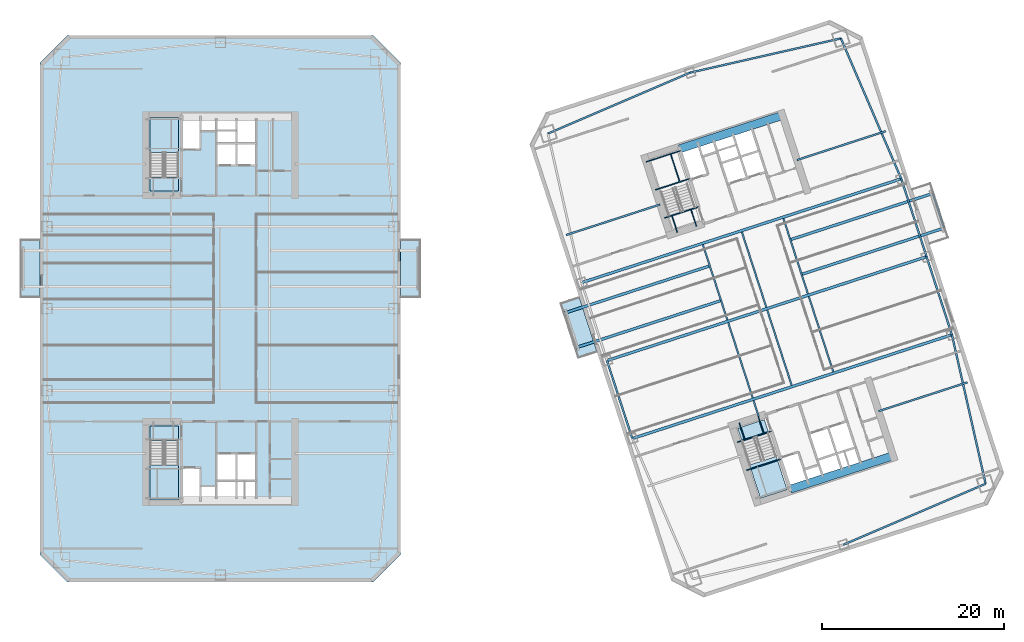
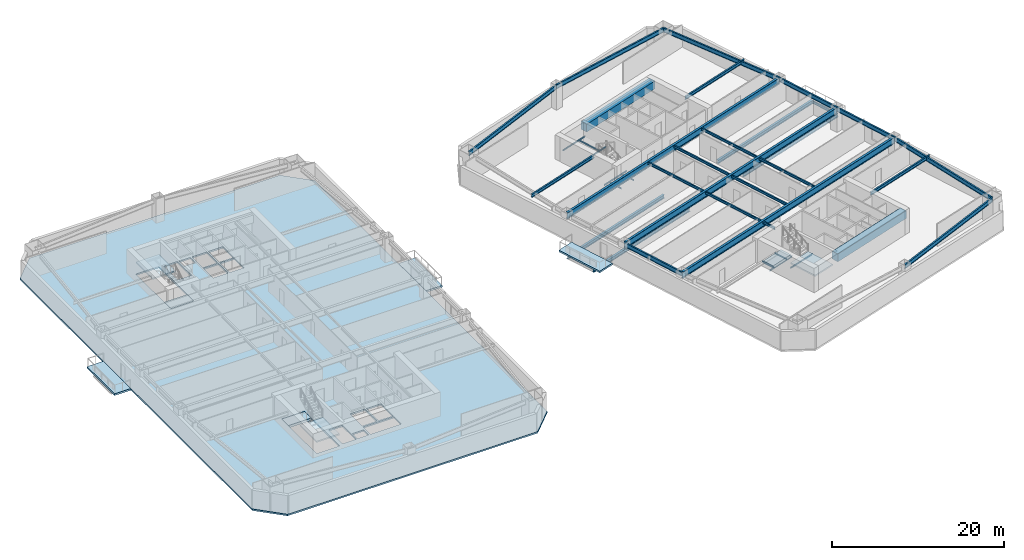
# One storey, part 2 of 15: 38 beams, 10 slabs, 3 elements without a shape of their own.
"""IFC4 building model written with IfcOpenShell, lengths in metres."""

from ifc_helpers import new_model, si_unit, direction, frame, origin, origin_2d, place, context, subcontext, project, spatial, polyline, rectangle, i_section, outline, extrude, material, layer, layer_set, material_profile, profile_set, type_object, element, aggregate, save


model = new_model("IFC4")

# Units and contexts
model_context = context("Model", 3, precision=1e-05, world=origin(), true_north=direction((0.0, 1.0)))
body_context = subcontext(model_context, "Body", "Model", "MODEL_VIEW")
ifc_project = project(units=[si_unit("LENGTHUNIT", "METRE"), si_unit("AREAUNIT", "SQUARE_METRE"), si_unit("VOLUMEUNIT", "CUBIC_METRE"), si_unit("PLANEANGLEUNIT", "RADIAN"), si_unit("MASSUNIT", "GRAM", prefix="KILO")], contexts=[model_context])

# Site, building, storey
site_placement = place(None, origin())
site = spatial("IfcSite", under=ifc_project, at=site_placement, CompositionType="ELEMENT")
building_placement = place(site_placement, origin())
building = spatial("IfcBuilding", under=site, at=building_placement, Name="Qiaolan Cultural Towers", CompositionType="ELEMENT")
storey_placement = place(building_placement, frame((0.0, 0.0, 50.60009765625)))
storey = spatial("IfcBuildingStorey", under=building, at=storey_placement, Name="L11", CompositionType="ELEMENT", Elevation=50.60009765625)

# Beams
ifc_material_1 = material(Name="Steel Q355B", Category="steel")
ifc_material_profile_1 = material_profile(ifc_material_1, i_section(OverallWidth=0.300048828125, OverallDepth=0.488037109375, WebThickness=0.010986328125, FlangeThickness=0.01806640625, at=origin_2d()), Name="HM488x300x11x18")
ifc_profile_set_1 = profile_set([ifc_material_profile_1], Name="Steel Q355B")
beam_type_1 = type_object("IfcBeamType", Name="BM-HM488x300x11x18", PredefinedType="BEAM", material=ifc_profile_set_1)
for number, where, z_axis, x_axis, name in (
    (1, (84.978515625, 34.891845703125, -0.524169921875), (-0.951056559899, -0.309016860175, 0.0), (0.309016860175, -0.951056559899, 0.0), "L11 T2 Tree Balcony Back-Spanned Bracket Beam"),
    (2, (83.742431640625, 38.6962890625, -0.524169921875), (-0.951056559899, -0.309016860175, 0.0), (0.309016860175, -0.951056559899, 0.0), "L11 T2 Tree Balcony Back-Spanned Bracket Beam"),
):
    element("IfcBeam", number, at=place(storey_placement, frame(where, z_axis=z_axis, x_axis=x_axis)), inside=storey, type_object=beam_type_1, Name=name, PredefinedType="BEAM", context=body_context, shape_type="SweptSolid", body=[
        extrude(i_section(OverallWidth=0.300048828125, OverallDepth=0.488037109375, WebThickness=0.010986328125, FlangeThickness=0.01806640625, at=origin_2d()), origin(), (0.0, 0.0, 1.0), 16.75),
    ])
for number, where, z_axis, x_axis, name in (
    (3, (93.823486328125, 37.765869140625, -0.524169921875), (0.951057297292, 0.309014590704, 0.0), (-0.309014590704, 0.951057297292, 0.0), "L11 T2 Tree Balcony Back-Spanned Bracket Beam"),
    (4, (92.58740234375, 41.570068359375, -0.524169921875), (0.951057297292, 0.309014590704, 0.0), (-0.309014590704, 0.951057297292, 0.0), "L11 T2 Tree Balcony Back-Spanned Bracket Beam"),
):
    element("IfcBeam", number, at=place(storey_placement, frame(where, z_axis=z_axis, x_axis=x_axis)), inside=storey, type_object=beam_type_1, Name=name, PredefinedType="BEAM", context=body_context, shape_type="SweptSolid", body=[
        extrude(i_section(OverallWidth=0.300048828125, OverallDepth=0.488037109375, WebThickness=0.010986328125, FlangeThickness=0.01806640625, at=origin_2d()), origin(), (0.0, 0.0, 1.0), 16.449951171875),
    ])
ifc_material_2 = material(Name="Steel Q355B", Category="steel")
ifc_material_profile_2 = material_profile(ifc_material_2, i_section(OverallWidth=0.300048828125, OverallDepth=0.89990234375, WebThickness=0.01611328125, FlangeThickness=0.028076171875, at=origin_2d()), Name="HN900x300x16x28")
ifc_profile_set_2 = profile_set([ifc_material_profile_2], Name="Steel Q355B")
beam_type_2 = type_object("IfcBeamType", Name="BM-HN900x300x16x28", PredefinedType="BEAM", material=ifc_profile_set_2)
beam_1_placement = place(storey_placement, frame((75.234130859375, 19.739013671875, 2.739990234375), z_axis=(0.951055702987, 0.309019497469, 0.0), x_axis=(-0.309019497469, 0.951055702987, 0.0)))
element("IfcBeam", 5, at=beam_1_placement, inside=storey, type_object=beam_type_2, Name="L11 T2 Primary Transverse Girder V1", PredefinedType="BEAM", context=body_context, shape_type="SweptSolid", body=[
    extrude(i_section(OverallWidth=0.300048828125, OverallDepth=0.89990234375, WebThickness=0.01611328125, FlangeThickness=0.028076171875, at=origin_2d()), origin(), (0.0, 0.0, 1.0), 36.900146484375),
])
beam_2_placement = place(storey_placement, frame((72.453125, 28.298583984375, 2.739990234375), z_axis=(0.951055071173, 0.309021441968, 0.0), x_axis=(-0.309021441968, 0.951055071173, 0.0)))
element("IfcBeam", 6, at=beam_2_placement, inside=storey, type_object=beam_type_2, Name="L11 T2 Primary Transverse Girder V2", PredefinedType="BEAM", context=body_context, shape_type="SweptSolid", body=[
    extrude(i_section(OverallWidth=0.300048828125, OverallDepth=0.89990234375, WebThickness=0.01611328125, FlangeThickness=0.028076171875, at=origin_2d()), origin(), (0.0, 0.0, 1.0), 36.89990234375),
])
beam_3_placement = place(storey_placement, frame((69.671875, 36.858154296875, 2.739990234375), z_axis=(0.951055702987, 0.309019497469, 0.0), x_axis=(-0.309019497469, 0.951055702987, 0.0)))
element("IfcBeam", 7, at=beam_3_placement, inside=storey, type_object=beam_type_2, Name="L11 T2 Primary Transverse Girder V3", PredefinedType="BEAM", context=body_context, shape_type="SweptSolid", body=[
    extrude(i_section(OverallWidth=0.300048828125, OverallDepth=0.89990234375, WebThickness=0.01611328125, FlangeThickness=0.028076171875, at=origin_2d()), origin(), (0.0, 0.0, 1.0), 36.900146484375),
])
ifc_material_3 = material(Name="Steel Q355B", Category="steel")
ifc_material_profile_3 = material_profile(ifc_material_3, i_section(OverallWidth=0.175048828125, OverallDepth=0.35009765625, WebThickness=0.007080078125, FlangeThickness=0.010986328125, at=origin_2d()), Name="HN350x175x7x11")
ifc_profile_set_3 = profile_set([ifc_material_profile_3], Name="Steel Q355B")
beam_type_3 = type_object("IfcBeamType", Name="BM-JST-HN350x175x7x11", PredefinedType="JOIST", material=ifc_profile_set_3)
beam_4_placement = place(storey_placement, frame((109.46826171875, 42.84912109375, -0.524169921875), z_axis=(-0.309022586479, 0.951054699292, 0.0), x_axis=(-0.951054699292, -0.309022586479, 0.0)))
element("IfcBeam", 8, at=beam_4_placement, inside=storey, type_object=beam_type_3, Name="L11 T2 Tree Balcony Outer Edge Beam", PredefinedType="JOIST", context=body_context, shape_type="SweptSolid", body=[
    extrude(i_section(OverallWidth=0.175048828125, OverallDepth=0.35009765625, WebThickness=0.007080078125, FlangeThickness=0.010986328125, at=origin_2d()), origin(), (0.0, 0.0, 1.0), 4.0),
])
beam_5_placement = place(storey_placement, frame((89.119384765625, 22.147705078125, 3.014892578125), z_axis=(-0.308933885266, 0.951083516067, 0.0), x_axis=(-0.951083516067, -0.308933885266, 0.0)))
element("IfcBeam", 9, at=beam_5_placement, inside=storey, type_object=beam_type_3, Name="L11 T2 Secondary Floor Joist U1-1", PredefinedType="JOIST", context=body_context, shape_type="SweptSolid", body=[
    extrude(i_section(OverallWidth=0.175048828125, OverallDepth=0.35009765625, WebThickness=0.007080078125, FlangeThickness=0.010986328125, at=origin_2d()), origin(), (0.0, 0.0, 1.0), 1.85009765625),
])
for number, where, z_axis, x_axis, name in (
    (10, (88.455078125, 24.192626953125, 3.014892578125), (-0.309020714809, 0.951055307445, 0.0), (-0.951055307445, -0.309020714809, 0.0), "L11 T2 Secondary Floor Joist U1-2"),
    (11, (85.673828125, 32.752197265625, 3.014892578125), (-0.309020714809, 0.951055307445, 0.0), (-0.951055307445, -0.309020714809, 0.0), "L11 T2 Secondary Floor Joist U1-3"),
    (12, (92.73486328125, 25.583251953125, 3.014892578125), (-0.309020714809, 0.951055307445, 0.0), (-0.951055307445, -0.309020714809, 0.0), "L11 T2 Secondary Floor Joist U2-2"),
    (13, (89.95361328125, 34.142578125, 3.014892578125), (-0.309020714809, 0.951055307445, 0.0), (-0.951055307445, -0.309020714809, 0.0), "L11 T2 Secondary Floor Joist U2-3"),
    (14, (97.2998046875, 27.06640625, 3.014892578125), (-0.309020714809, 0.951055307445, 0.0), (-0.951055307445, -0.309020714809, 0.0), "L11 T2 Secondary Floor Joist U3-2"),
    (15, (94.518798828125, 35.6259765625, 3.014892578125), (-0.309020714809, 0.951055307445, 0.0), (-0.951055307445, -0.309020714809, 0.0), "L11 T2 Secondary Floor Joist U3-3"),
):
    element("IfcBeam", number, at=place(storey_placement, frame(where, z_axis=z_axis, x_axis=x_axis)), inside=storey, type_object=beam_type_3, Name=name, PredefinedType="JOIST", context=body_context, shape_type="SweptSolid", body=[
        extrude(i_section(OverallWidth=0.175048828125, OverallDepth=0.35009765625, WebThickness=0.007080078125, FlangeThickness=0.010986328125, at=origin_2d()), origin(), (0.0, 0.0, 1.0), 8.699951171875),
    ])
ifc_material_4 = material(Name="Steel Q355B", Category="steel")
ifc_material_profile_4 = material_profile(ifc_material_4, i_section(OverallWidth=0.199951171875, OverallDepth=0.449951171875, WebThickness=0.009033203125, FlangeThickness=0.013916015625, at=origin_2d()), Name="HN450x200x9x14")
ifc_profile_set_4 = profile_set([ifc_material_profile_4], Name="Steel Q355B")
beam_type_4 = type_object("IfcBeamType", Name="BM-LNT-HN450x200x9x14", PredefinedType="LINTEL", material=ifc_profile_set_4)
beam_6_placement = place(storey_placement, frame((78.291259765625, 45.44189453125, 2.96484375), z_axis=(-0.951052421511, -0.309029596542, 0.0), x_axis=(0.309029596542, -0.951052421511, 0.0)))
element("IfcBeam", 16, at=beam_6_placement, inside=storey, type_object=beam_type_4, Name="L11 T2 Core Flank Tie Lintel WN", PredefinedType="LINTEL", context=body_context, shape_type="SweptSolid", body=[
    extrude(i_section(OverallWidth=0.199951171875, OverallDepth=0.449951171875, WebThickness=0.009033203125, FlangeThickness=0.013916015625, at=origin_2d()), origin(), (0.0, 0.0, 1.0), 10.85009765625),
])
beam_7_placement = place(storey_placement, frame((102.279296875, 22.74365234375, 2.96484375), z_axis=(0.951056820587, 0.309016057859, 0.0), x_axis=(-0.309016057859, 0.951056820587, 0.0)))
element("IfcBeam", 17, at=beam_7_placement, inside=storey, type_object=beam_type_4, Name="L11 T2 Core Flank Tie Lintel ES", PredefinedType="LINTEL", context=body_context, shape_type="SweptSolid", body=[
    extrude(i_section(OverallWidth=0.199951171875, OverallDepth=0.449951171875, WebThickness=0.009033203125, FlangeThickness=0.013916015625, at=origin_2d()), origin(), (0.0, 0.0, 1.0), 10.250244140625),
])
beam_8_placement = place(storey_placement, frame((93.31787109375, 50.32421875, 2.96484375), z_axis=(0.951054546097, 0.309023057955, 0.0), x_axis=(-0.309023057955, 0.951054546097, 0.0)))
element("IfcBeam", 18, at=beam_8_placement, inside=storey, type_object=beam_type_4, Name="L11 T2 Core Flank Tie Lintel EN", PredefinedType="LINTEL", context=body_context, shape_type="SweptSolid", body=[
    extrude(i_section(OverallWidth=0.199951171875, OverallDepth=0.449951171875, WebThickness=0.009033203125, FlangeThickness=0.013916015625, at=origin_2d()), origin(), (0.0, 0.0, 1.0), 10.25),
])
ifc_material_5 = material(Name="Concrete C50", Category="concrete")
ifc_material_profile_5 = material_profile(ifc_material_5, rectangle(XDim=0.89990234375, YDim=1.10009765625, at=origin_2d()), Name="RC900x1100")
ifc_profile_set_5 = profile_set([ifc_material_profile_5], Name="Concrete C50")
beam_type_5 = type_object("IfcBeamType", Name="BM-RC900x1100", PredefinedType="BEAM", material=ifc_profile_set_5)
for number, where, z_axis, x_axis, name in (
    (19, (92.572265625, 14.174560546875, 2.639892578125), (0.951056266386, 0.309017763514, 0.0), (-0.309017763514, 0.951056266386, 0.0), "L11 T2 Core Header Girder S"),
    (20, (80.427978515625, 51.551025390625, 2.639892578125), (0.951056266386, 0.309017763514, 0.0), (-0.309017763514, 0.951056266386, 0.0), "L11 T2 Core Header Girder N"),
):
    element("IfcBeam", number, at=place(storey_placement, frame(where, z_axis=z_axis, x_axis=x_axis)), inside=storey, type_object=beam_type_5, Name=name, PredefinedType="BEAM", context=body_context, shape_type="SweptSolid", body=[
        extrude(rectangle(XDim=0.89990234375, YDim=1.10009765625, at=origin_2d()), origin(), (0.0, 0.0, 1.0), 11.880126953125),
    ])
ifc_material_6 = material(Name="Steel Q355B", Category="steel")
ifc_material_profile_6 = material_profile(ifc_material_6, i_section(OverallWidth=0.199951171875, OverallDepth=0.60009765625, WebThickness=0.010986328125, FlangeThickness=0.01708984375, at=origin_2d()), Name="HN600x200x11x17")
ifc_profile_set_6 = profile_set([ifc_material_profile_6], Name="Steel Q355B")
beam_type_6 = type_object("IfcBeamType", Name="BM-SPD-HN600x200x11x17", PredefinedType="SPANDREL", material=ifc_profile_set_6)
beam_9_placement = place(storey_placement, frame((98.420654296875, 8.083740234375, 2.889892578125), z_axis=(0.919108584923, 0.394004326272, 0.0), x_axis=(-0.394004326272, 0.919108584923, 0.0)))
element("IfcBeam", 21, at=beam_9_placement, inside=storey, type_object=beam_type_6, Name="L11 T2 Perimeter Spandrel Beam 2", PredefinedType="SPANDREL", context=body_context, shape_type="SweptSolid", body=[
    extrude(i_section(OverallWidth=0.199951171875, OverallDepth=0.60009765625, WebThickness=0.010986328125, FlangeThickness=0.01708984375, at=origin_2d()), origin(), (0.0, 0.0, 1.0), 16.97998046875),
])
beam_10_placement = place(storey_placement, frame((114.027099609375, 14.77392578125, 2.889892578125), z_axis=(-0.220430557386, 0.975402670373, 0.0), x_axis=(-0.975402670373, -0.220430557386, 0.0)))
element("IfcBeam", 22, at=beam_10_placement, inside=storey, type_object=beam_type_6, Name="L11 T2 Perimeter Spandrel Beam 3", PredefinedType="SPANDREL", context=body_context, shape_type="SweptSolid", body=[
    extrude(i_section(OverallWidth=0.199951171875, OverallDepth=0.60009765625, WebThickness=0.010986328125, FlangeThickness=0.01708984375, at=origin_2d()), origin(), (0.0, 0.0, 1.0), 16.78076171875),
])
for number, where, z_axis, x_axis, name in (
    (23, (110.328125, 31.141845703125, 2.889892578125), (-0.309024734286, 0.951054001411, 0.0), (-0.951054001411, -0.309024734286, 0.0), "L11 T2 Perimeter Spandrel Beam 4"),
    (24, (107.546875, 39.701416015625, 2.889892578125), (-0.309000197986, 0.951061973609, 0.0), (-0.951061973609, -0.309000197986, 0.0), "L11 T2 Perimeter Spandrel Beam 5"),
):
    element("IfcBeam", number, at=place(storey_placement, frame(where, z_axis=z_axis, x_axis=x_axis)), inside=storey, type_object=beam_type_6, Name=name, PredefinedType="SPANDREL", context=body_context, shape_type="SweptSolid", body=[
        extrude(i_section(OverallWidth=0.199951171875, OverallDepth=0.60009765625, WebThickness=0.010986328125, FlangeThickness=0.01708984375, at=origin_2d()), origin(), (0.0, 0.0, 1.0), 9.0),
    ])
beam_11_placement = place(storey_placement, frame((104.765869140625, 48.260986328125, 2.889892578125), z_axis=(-0.394998896054, 0.918681594524, 0.0), x_axis=(-0.918681594524, -0.394998896054, 0.0)))
element("IfcBeam", 25, at=beam_11_placement, inside=storey, type_object=beam_type_6, Name="L11 T2 Perimeter Spandrel Beam 6", PredefinedType="SPANDREL", context=body_context, shape_type="SweptSolid", body=[
    extrude(i_section(OverallWidth=0.199951171875, OverallDepth=0.60009765625, WebThickness=0.010986328125, FlangeThickness=0.01708984375, at=origin_2d()), origin(), (0.0, 0.0, 1.0), 16.78076171875),
])
for number, where, z_axis, x_axis, name in (
    (26, (98.137451171875, 63.67724609375, 2.889892578125), (-0.975161095889, -0.221496810506, 0.0), (0.221496810506, -0.975161095889, 0.0), "L11 T2 Perimeter Spandrel Beam 7"),
    (27, (81.579345703125, 59.916259765625, 2.889892578125), (-0.919108584923, -0.394004326272, 0.0), (0.394004326272, -0.919108584923, 0.0), "L11 T2 Perimeter Spandrel Beam 8"),
):
    element("IfcBeam", number, at=place(storey_placement, frame(where, z_axis=z_axis, x_axis=x_axis)), inside=storey, type_object=beam_type_6, Name=name, PredefinedType="SPANDREL", context=body_context, shape_type="SweptSolid", body=[
        extrude(i_section(OverallWidth=0.199951171875, OverallDepth=0.60009765625, WebThickness=0.010986328125, FlangeThickness=0.01708984375, at=origin_2d()), origin(), (0.0, 0.0, 1.0), 16.97998046875),
    ])
beam_12_placement = place(storey_placement, frame((72.453125, 28.298583984375, 2.889892578125), z_axis=(0.309000197986, -0.951061973609, 0.0), x_axis=(0.951061973609, 0.309000197986, 0.0)))
element("IfcBeam", 28, at=beam_12_placement, inside=storey, type_object=beam_type_6, Name="L11 T2 Perimeter Spandrel Beam 11", PredefinedType="SPANDREL", context=body_context, shape_type="SweptSolid", body=[
    extrude(i_section(OverallWidth=0.199951171875, OverallDepth=0.60009765625, WebThickness=0.010986328125, FlangeThickness=0.01708984375, at=origin_2d()), origin(), (0.0, 0.0, 1.0), 9.0),
])
ifc_material_7 = material(Name="Steel Q355B", Category="steel")
ifc_material_profile_7 = material_profile(ifc_material_7, i_section(OverallWidth=0.10009765625, OverallDepth=0.199951171875, WebThickness=0.005615234375, FlangeThickness=0.008056640625, at=origin_2d()), Name="HN200x100x5.5x8")
ifc_profile_set_7 = profile_set([ifc_material_profile_7], Name="Steel Q355B")
beam_type_7 = type_object("IfcBeamType", Name="BM-STTRIM-200", PredefinedType="BEAM", material=ifc_profile_set_7)
beam_13_placement = place(storey_placement, frame((86.770751953125, 19.3447265625, -0.460205078125), z_axis=(0.951047798727, 0.309043823005, 0.0), x_axis=(-0.309043823005, 0.951047798727, 0.0)))
element("IfcBeam", 29, at=beam_13_placement, inside=storey, type_object=beam_type_7, Name="L11 ST-E1 Floor Landing Header Beam", PredefinedType="BEAM", context=body_context, shape_type="SweptSolid", body=[
    extrude(i_section(OverallWidth=0.10009765625, OverallDepth=0.199951171875, WebThickness=0.005615234375, FlangeThickness=0.008056640625, at=origin_2d()), origin(), (0.0, 0.0, 1.0), 3.919921875),
])
for number, where, z_axis, x_axis, name in (
    (30, (86.9794921875, 21.452392578125, -0.460205078125), (0.309083226701, -0.951034993558, 0.0), (0.951034993558, 0.309083226701, 0.0), "L11 ST-E1 Floor Landing Stringer 1"),
    (31, (89.07177734375, 22.13232421875, -0.460205078125), (0.309083226701, -0.951034993558, 0.0), (0.951034993558, 0.309083226701, 0.0), "L11 ST-E1 Floor Landing Stringer 2"),
):
    element("IfcBeam", number, at=place(storey_placement, frame(where, z_axis=z_axis, x_axis=x_axis)), inside=storey, type_object=beam_type_7, Name=name, PredefinedType="BEAM", context=body_context, shape_type="SweptSolid", body=[
        extrude(i_section(OverallWidth=0.10009765625, OverallDepth=0.199951171875, WebThickness=0.005615234375, FlangeThickness=0.008056640625, at=origin_2d()), origin(), (0.0, 0.0, 1.0), 1.93994140625),
    ])
beam_14_placement = place(storey_placement, frame((87.774658203125, 16.255126953125, 1.4248046875), z_axis=(0.951047798727, 0.309043823005, 0.0), x_axis=(-0.309043823005, 0.951047798727, 0.0)))
element("IfcBeam", 32, at=beam_14_placement, inside=storey, type_object=beam_type_7, Name="L11 ST-E1 Stair Landing Support Beam 1-1", PredefinedType="BEAM", context=body_context, shape_type="SweptSolid", body=[
    extrude(i_section(OverallWidth=0.10009765625, OverallDepth=0.199951171875, WebThickness=0.005615234375, FlangeThickness=0.008056640625, at=origin_2d()), origin(), (0.0, 0.0, 1.0), 3.919921875),
])
beam_15_placement = place(storey_placement, frame((78.773193359375, 43.958251953125, -0.460205078125), z_axis=(0.951072048947, 0.3089691857, 0.0), x_axis=(-0.3089691857, 0.951072048947, 0.0)))
element("IfcBeam", 33, at=beam_15_placement, inside=storey, type_object=beam_type_7, Name="L11 ST-E2 Floor Landing Header Beam", PredefinedType="BEAM", context=body_context, shape_type="SweptSolid", body=[
    extrude(i_section(OverallWidth=0.10009765625, OverallDepth=0.199951171875, WebThickness=0.005615234375, FlangeThickness=0.008056640625, at=origin_2d()), origin(), (0.0, 0.0, 1.0), 3.920166015625),
])
for number, where, z_axis, x_axis, name in (
    (34, (80.18115234375, 42.375732421875, -0.460205078125), (-0.308969394428, 0.951071981138, 0.0), (-0.951071981138, -0.308969394428, 0.0), "L11 ST-E2 Floor Landing Stringer 1"),
    (35, (82.2734375, 43.0556640625, -0.460205078125), (-0.308969394428, 0.951071981138, 0.0), (-0.951071981138, -0.308969394428, 0.0), "L11 ST-E2 Floor Landing Stringer 2"),
):
    element("IfcBeam", number, at=place(storey_placement, frame(where, z_axis=z_axis, x_axis=x_axis)), inside=storey, type_object=beam_type_7, Name=name, PredefinedType="BEAM", context=body_context, shape_type="SweptSolid", body=[
        extrude(i_section(OverallWidth=0.10009765625, OverallDepth=0.199951171875, WebThickness=0.005615234375, FlangeThickness=0.008056640625, at=origin_2d()), origin(), (0.0, 0.0, 1.0), 1.93994140625),
    ])
for number, where, z_axis, x_axis, name in (
    (36, (77.769287109375, 47.0478515625, 1.4248046875), (0.951053746643, 0.309025518358, 0.0), (-0.309025518358, 0.951053746643, 0.0), "L11 ST-E2 Stair Landing Support Beam 1-1"),
    (37, (76.770751953125, 50.12109375, 1.4248046875), (0.951072048947, 0.3089691857, 0.0), (-0.3089691857, 0.951072048947, 0.0), "L11 ST-E2 Stair Landing Support Beam 1-2"),
):
    element("IfcBeam", number, at=place(storey_placement, frame(where, z_axis=z_axis, x_axis=x_axis)), inside=storey, type_object=beam_type_7, Name=name, PredefinedType="BEAM", context=body_context, shape_type="SweptSolid", body=[
        extrude(i_section(OverallWidth=0.10009765625, OverallDepth=0.199951171875, WebThickness=0.005615234375, FlangeThickness=0.008056640625, at=origin_2d()), origin(), (0.0, 0.0, 1.0), 3.920166015625),
    ])
beam_16_placement = place(storey_placement, frame((80.44189453125, 47.916259765625, 1.4248046875), z_axis=(-0.309033108495, 0.951051280349, 0.0), x_axis=(-0.951051280349, -0.309033108495, 0.0)))
element("IfcBeam", 38, at=beam_16_placement, inside=storey, type_object=beam_type_7, Name="L11 ST-E2 Stair Landing Trimmer 1", PredefinedType="BEAM", context=body_context, shape_type="SweptSolid", body=[
    extrude(i_section(OverallWidth=0.10009765625, OverallDepth=0.199951171875, WebThickness=0.005615234375, FlangeThickness=0.008056640625, at=origin_2d()), origin(), (0.0, 0.0, 1.0), 3.231201171875),
])

# Slabs
ifc_material_8 = material(Name="Concrete C45", Category="concrete")
ifc_layer_1 = layer(ifc_material_8, 0.239990234375)
ifc_layer_set_1 = layer_set([ifc_layer_1], Name="Concrete C45")
slab_type_1 = type_object("IfcSlabType", Name="SL-BAL-240", PredefinedType="FLOOR", material=ifc_layer_set_1)
slab_1_placement = place(storey_placement, frame((0.0, 0.0, -0.239990234375)))
element("IfcSlab", 39, at=slab_1_placement, inside=storey, type_object=slab_type_1, Name="L11 T1 Planted Tree Balcony W", PredefinedType="FLOOR", context=body_context, shape_type="SweptSolid", body=[
    extrude(outline(polyline([(8.0, 35.199951171875), (10.199951171875, 35.199951171875), (10.199951171875, 41.60009765625), (8.0, 41.60009765625), (8.0, 35.199951171875)])), origin(), (0.0, 0.0, 1.0), 0.239990234375),
])
slab_2_placement = place(storey_placement, frame((0.0, 0.0, -0.239990234375)))
element("IfcSlab", 40, at=slab_2_placement, inside=storey, type_object=slab_type_1, Name="L11 T1 Planted Tree Balcony E", PredefinedType="FLOOR", context=body_context, shape_type="SweptSolid", body=[
    extrude(outline(polyline([(49.800048828125, 35.199951171875), (52.0, 35.199951171875), (52.0, 41.60009765625), (49.800048828125, 41.60009765625), (49.800048828125, 35.199951171875)])), origin(), (0.0, 0.0, 1.0), 0.239990234375),
])
slab_3_placement = place(storey_placement, frame((0.0, 0.0, -0.239990234375)))
element("IfcSlab", 41, at=slab_3_placement, inside=storey, type_object=slab_type_1, Name="L11 T2 Planted Tree Balcony W", PredefinedType="FLOOR", context=body_context, shape_type="SweptSolid", body=[
    extrude(outline(polyline([(69.276611328125, 28.5283203125), (71.368896484375, 29.208251953125), (69.39111328125, 35.294921875), (67.298828125, 34.614990234375), (69.276611328125, 28.5283203125)])), origin(), (0.0, 0.0, 1.0), 0.239990234375),
])

# Stair, slab
ifc_material_9 = material(Name="Concrete C45", Category="concrete")
stair_type = type_object("IfcStairType", Name="STR-CORE-1500", PredefinedType="HALF_TURN_STAIR", material=ifc_material_9)
stair_1_placement = place(storey_placement, origin())
stair_1 = element("IfcStair", 42, at=stair_1_placement, inside=storey, type_object=stair_type, Name="L11 Smokeproof Exit Stair ST-W1", PredefinedType="HALF_TURN_STAIR")
ifc_material_10 = material(Name="Concrete C45", Category="concrete")
ifc_layer_2 = layer(ifc_material_10, 0.199951171875)
ifc_layer_set_2 = layer_set([ifc_layer_2], Name="Concrete C45")
slab_type_2 = type_object("IfcSlabType", Name="SL-STAIR-LAND", PredefinedType="LANDING", material=ifc_layer_set_2)
slab_4_placement = place(storey_placement, frame((0.0, 0.0, 1.52490234375)))
slab_4 = element("IfcSlab", 43, at=slab_4_placement, type_object=slab_type_2, Name="ST-W1 landing 1", PredefinedType="LANDING", context=body_context, shape_type="SweptSolid", body=[
    extrude(outline(polyline([(22.300048828125, 16.851318359375), (22.300048828125, 13.0), (25.3798828125, 13.0), (25.3798828125, 16.851318359375), (22.300048828125, 16.851318359375)])), origin(), (0.0, 0.0, 1.0), 0.199951171875),
])
aggregate(stair_1, [slab_4])

stair_2_placement = place(storey_placement, origin())
stair_2 = element("IfcStair", 44, at=stair_2_placement, inside=storey, type_object=stair_type, Name="L11 Smokeproof Exit Stair ST-W2", PredefinedType="HALF_TURN_STAIR")
slab_5_placement = place(storey_placement, frame((0.0, 0.0, 1.52490234375)))
slab_5 = element("IfcSlab", 45, at=slab_5_placement, type_object=slab_type_2, Name="ST-W2 landing 1", PredefinedType="LANDING", context=body_context, shape_type="SweptSolid", body=[
    extrude(outline(polyline([(25.3798828125, 51.148681640625), (25.3798828125, 55.0), (22.300048828125, 55.0), (22.300048828125, 51.148681640625), (25.3798828125, 51.148681640625)])), origin(), (0.0, 0.0, 1.0), 0.199951171875),
])
aggregate(stair_2, [slab_5])

stair_3_placement = place(storey_placement, origin())
stair_3 = element("IfcStair", 46, at=stair_3_placement, inside=storey, type_object=stair_type, Name="L11 Smokeproof Exit Stair ST-E1", PredefinedType="HALF_TURN_STAIR")
slab_6_placement = place(storey_placement, frame((0.0, 0.0, 1.52490234375)))
slab_6 = element("IfcSlab", 47, at=slab_6_placement, type_object=slab_type_2, Name="ST-E1 landing 1", PredefinedType="LANDING", context=body_context, shape_type="SweptSolid", body=[
    extrude(outline(polyline([(88.114013671875, 16.828125), (89.30419921875, 13.165283203125), (92.2333984375, 14.116943359375), (91.04345703125, 17.77978515625), (88.114013671875, 16.828125)])), origin(), (0.0, 0.0, 1.0), 0.199951171875),
])
aggregate(stair_3, [slab_6])

# Slabs
ifc_material_11 = material(Name="Concrete C40", Category="concrete")
ifc_layer_3 = layer(ifc_material_11, 0.360107421875)
ifc_layer_set_3 = layer_set([ifc_layer_3], Name="Concrete C40")
slab_type_3 = type_object("IfcSlabType", Name="SL-STFLR-360", PredefinedType="LANDING", material=ifc_layer_set_3)
slab_7_placement = place(storey_placement, frame((0.0, 0.0, -0.360107421875)))
element("IfcSlab", 48, at=slab_7_placement, inside=storey, type_object=slab_type_3, Name="L11 ST-W1 Stair Floor Landing Slab", PredefinedType="LANDING", context=body_context, shape_type="SweptSolid", body=[
    extrude(outline(polyline([(22.302001953125, 21.097900390625), (22.302001953125, 19.548583984375), (25.3779296875, 19.548583984375), (25.3779296875, 21.097900390625), (22.302001953125, 21.097900390625)])), origin(), (0.0, 0.0, 1.0), 0.360107421875),
])
slab_8_placement = place(storey_placement, frame((0.0, 0.0, -0.360107421875)))
element("IfcSlab", 49, at=slab_8_placement, inside=storey, type_object=slab_type_3, Name="L11 ST-W2 Stair Floor Landing Slab", PredefinedType="LANDING", context=body_context, shape_type="SweptSolid", body=[
    extrude(outline(polyline([(25.3779296875, 46.902099609375), (25.3779296875, 48.451416015625), (22.302001953125, 48.451416015625), (22.302001953125, 46.902099609375), (25.3779296875, 46.902099609375)])), origin(), (0.0, 0.0, 1.0), 0.360107421875),
])
slab_9_placement = place(storey_placement, frame((0.0, 0.0, -0.360107421875)))
element("IfcSlab", 50, at=slab_9_placement, inside=storey, type_object=slab_type_3, Name="L11 ST-E1 Stair Floor Landing Slab", PredefinedType="LANDING", context=body_context, shape_type="SweptSolid", body=[
    extrude(outline(polyline([(86.8037109375, 20.867431640625), (87.282470703125, 19.39404296875), (90.2080078125, 20.3447265625), (89.729248046875, 21.818115234375), (86.8037109375, 20.867431640625)])), origin(), (0.0, 0.0, 1.0), 0.360107421875),
])
ifc_material_12 = material(Name="Concrete C45", Category="concrete")
ifc_layer_4 = layer(ifc_material_12, 0.219970703125)
ifc_layer_set_4 = layer_set([ifc_layer_4], Name="Concrete C45")
slab_type_4 = type_object("IfcSlabType", Name="SL-TYP-220", PredefinedType="FLOOR", material=ifc_layer_set_4)
slab_10_placement = place(storey_placement, frame((0.0, 0.0, -0.22021484375)))
element("IfcSlab", 51, at=slab_10_placement, inside=storey, type_object=slab_type_4, Name="L11 West Tower Floor Slab", PredefinedType="FLOOR", context=body_context, shape_type="SweptSolid", body=[
    extrude(outline(polyline([(13.199951171875, 4.0), (46.800048828125, 4.0), (49.800048828125, 7.0), (49.800048828125, 61.0), (46.800048828125, 64.0), (13.199951171875, 64.0), (10.199951171875, 61.0), (10.199951171875, 7.0), (13.199951171875, 4.0)]), holes=[polyline([(22.300048828125, 21.10009765625), (22.300048828125, 13.0), (25.3798828125, 13.0), (25.3798828125, 21.10009765625), (22.300048828125, 21.10009765625)]), polyline([(25.3798828125, 46.89990234375), (25.3798828125, 55.0), (22.300048828125, 55.0), (22.300048828125, 46.89990234375), (25.3798828125, 46.89990234375)]), polyline([(25.89990234375, 13.199951171875), (27.75, 13.199951171875), (27.75, 16.449951171875), (25.89990234375, 16.449951171875), (25.89990234375, 13.199951171875)]), polyline([(27.93994140625, 13.25), (29.449951171875, 13.25), (29.449951171875, 14.419921875), (27.93994140625, 14.419921875), (27.93994140625, 13.25)]), polyline([(29.679931640625, 15.199951171875), (31.679931640625, 15.199951171875), (31.679931640625, 18.0), (29.679931640625, 18.0), (29.679931640625, 15.199951171875)]), polyline([(31.8798828125, 15.199951171875), (33.820068359375, 15.199951171875), (33.820068359375, 18.0), (31.8798828125, 18.0), (31.8798828125, 15.199951171875)]), polyline([(29.679931640625, 13.25), (33.820068359375, 13.25), (33.820068359375, 14.97998046875), (29.679931640625, 14.97998046875), (29.679931640625, 13.25)]), polyline([(25.89990234375, 51.550048828125), (27.75, 51.550048828125), (27.75, 54.800048828125), (25.89990234375, 54.800048828125), (25.89990234375, 51.550048828125)]), polyline([(27.93994140625, 53.580078125), (29.449951171875, 53.580078125), (29.449951171875, 54.75), (27.93994140625, 54.75), (27.93994140625, 53.580078125)]), polyline([(29.679931640625, 49.820068359375), (31.679931640625, 49.820068359375), (31.679931640625, 52.080078125), (29.679931640625, 52.080078125), (29.679931640625, 49.820068359375)]), polyline([(31.8798828125, 49.820068359375), (33.820068359375, 49.820068359375), (33.820068359375, 52.080078125), (31.8798828125, 52.080078125), (31.8798828125, 49.820068359375)]), polyline([(29.679931640625, 52.27001953125), (31.659912109375, 52.27001953125), (31.659912109375, 54.75), (29.679931640625, 54.75), (29.679931640625, 52.27001953125)]), polyline([(31.8798828125, 52.27001953125), (33.820068359375, 52.27001953125), (33.820068359375, 54.75), (31.8798828125, 54.75), (31.8798828125, 52.27001953125)])]), origin(), (0.0, 0.0, 1.0), 0.22021484375),
])

save(model, "model.ifc")
